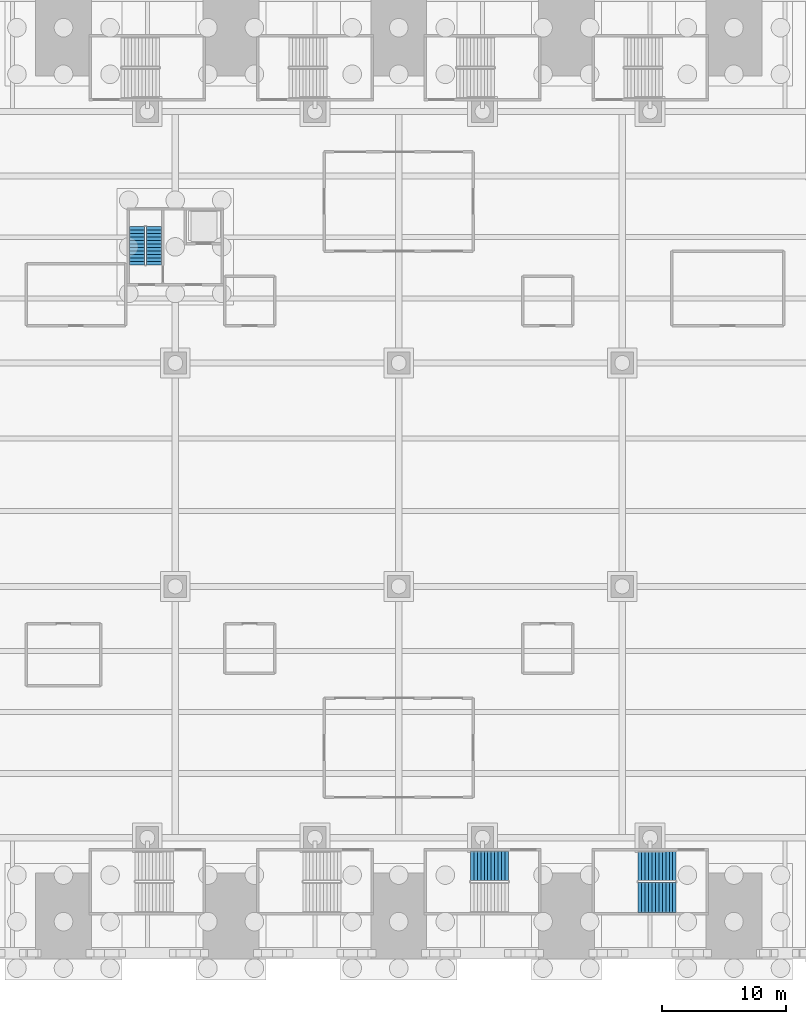
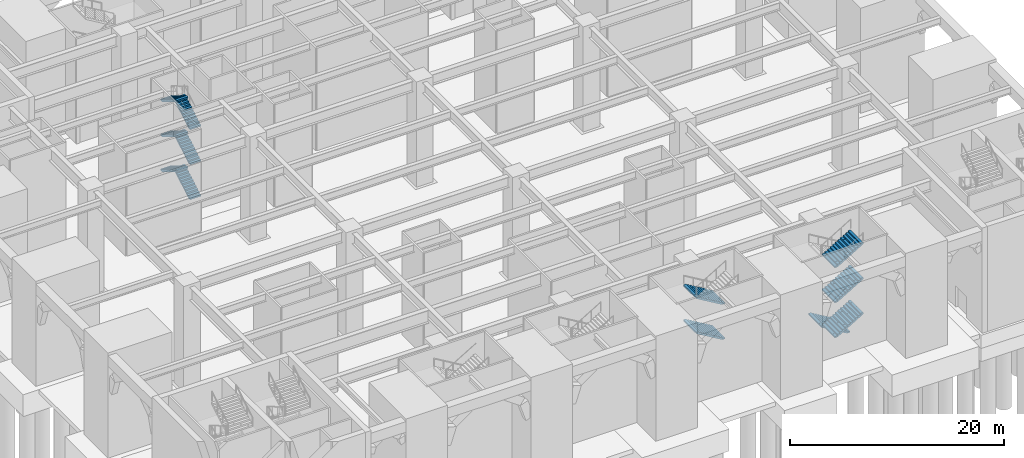
# One storey, part 16 of 34: 12 stair flights, 3 elements without a shape of their own.
"""IFC4 building model written with IfcOpenShell, lengths in metres."""

from ifc_helpers import new_model, si_unit, direction, frame, origin, place, context, subcontext, project, spatial, polyline, outline, extrude, material, type_object, element, aggregate, save


model = new_model("IFC4")

# Units and contexts
model_context = context("Model", 3, precision=1e-05, world=origin(), true_north=direction((0.0, 1.0)))
body_context = subcontext(model_context, "Body", "Model", "MODEL_VIEW")
ifc_project = project(units=[si_unit("LENGTHUNIT", "METRE"), si_unit("AREAUNIT", "SQUARE_METRE"), si_unit("VOLUMEUNIT", "CUBIC_METRE"), si_unit("PLANEANGLEUNIT", "RADIAN"), si_unit("MASSUNIT", "GRAM", prefix="KILO")], contexts=[model_context])

# Site, building, storey
site_placement = place(None, origin())
site = spatial("IfcSite", under=ifc_project, at=site_placement, CompositionType="ELEMENT")
building_placement = place(site_placement, origin())
building = spatial("IfcBuilding", under=site, at=building_placement, Name="Corbelhall Arena Tower", CompositionType="ELEMENT")
storey_placement = place(building_placement, origin())
storey = spatial("IfcBuildingStorey", under=building, at=storey_placement, Name="L00", CompositionType="ELEMENT", Elevation=0.0)

# Stair, stair flights
ifc_material_1 = material(Name="Reinforced concrete C40/50", Category="concrete")
stair_type_1 = type_object("IfcStairType", Name="AR-EXIT-STAIR", PredefinedType="HALF_TURN_STAIR", material=ifc_material_1)
stair_1_placement = place(storey_placement, origin())
stair_1 = element("IfcStair", 1, at=stair_1_placement, inside=storey, type_object=stair_type_1, Name="L00 exit stair AS15", PredefinedType="HALF_TURN_STAIR")
stair_flight_type_1 = type_object("IfcStairFlightType", Name="AR-EXIT-FLIGHT", PredefinedType="STRAIGHT", material=ifc_material_1)
stair_flight_1_placement = place(storey_placement, frame((8.85009765625, -31.5, 4.0), z_axis=(0.0, 0.0, 1.0), x_axis=(-1.0, 0.0, 0.0)))
stair_flight_1 = element("IfcStairFlight", 2, at=stair_flight_1_placement, type_object=stair_flight_type_1, Name="AS15 flight 3", NumberOfRisers=12, NumberOfTreads=11, PredefinedType="STRAIGHT", RiserHeight=0.166666667, TreadLength=0.28, context=body_context, shape_type="SweptSolid", body=[
    extrude(outline(polyline([(0.0, 0.0), (0.0, 0.166748046875), (0.280029296875, 0.166748046875), (0.280029296875, 0.333251953125), (0.56005859375, 0.333251953125), (0.56005859375, 0.5), (0.840087890625, 0.5), (0.840087890625, 0.666748046875), (1.1201171875, 0.666748046875), (1.1201171875, 0.833251953125), (1.39990234375, 0.833251953125), (1.39990234375, 1.0), (1.679931640625, 1.0), (1.679931640625, 1.166748046875), (1.9599609375, 1.166748046875), (1.9599609375, 1.333251953125), (2.239990234375, 1.333251953125), (2.239990234375, 1.5), (2.52001953125, 1.5), (2.52001953125, 1.666748046875), (2.800048828125, 1.666748046875), (2.800048828125, 1.833251953125), (3.080078125, 1.833251953125), (3.080078125, 2.0), (3.080078125, 1.658935546875), (0.29296875, 0.0), (0.0, 0.0)])), frame((0.0, 1.199951171875, 0.0), z_axis=(0.0, -1.0, 0.0), x_axis=(1.0, 0.0, 0.0)), (0.0, 0.0, 1.0), 0.449951171875),
    extrude(outline(polyline([(0.0, 0.0), (0.0, 0.166748046875), (0.280029296875, 0.166748046875), (0.280029296875, 0.333251953125), (0.56005859375, 0.333251953125), (0.56005859375, 0.5), (0.840087890625, 0.5), (0.840087890625, 0.666748046875), (1.1201171875, 0.666748046875), (1.1201171875, 0.833251953125), (1.39990234375, 0.833251953125), (1.39990234375, 1.0), (1.679931640625, 1.0), (1.679931640625, 1.166748046875), (1.9599609375, 1.166748046875), (1.9599609375, 1.333251953125), (2.239990234375, 1.333251953125), (2.239990234375, 1.5), (2.52001953125, 1.5), (2.52001953125, 1.666748046875), (2.800048828125, 1.666748046875), (2.800048828125, 1.833251953125), (3.080078125, 1.833251953125), (3.080078125, 2.0), (3.080078125, 1.658935546875), (0.29296875, 0.0), (0.0, 0.0)])), frame((0.0, 0.745849609375, 0.0), z_axis=(0.0, -1.0, 0.0), x_axis=(1.0, 0.0, 0.0)), (0.0, 0.0, 1.0), 0.743896484375),
    extrude(outline(polyline([(0.0, 0.0), (0.0, 0.166748046875), (0.280029296875, 0.166748046875), (0.280029296875, 0.333251953125), (0.56005859375, 0.333251953125), (0.56005859375, 0.5), (0.840087890625, 0.5), (0.840087890625, 0.666748046875), (1.1201171875, 0.666748046875), (1.1201171875, 0.833251953125), (1.39990234375, 0.833251953125), (1.39990234375, 1.0), (1.679931640625, 1.0), (1.679931640625, 1.166748046875), (1.9599609375, 1.166748046875), (1.9599609375, 1.333251953125), (2.239990234375, 1.333251953125), (2.239990234375, 1.5), (2.52001953125, 1.5), (2.52001953125, 1.666748046875), (2.800048828125, 1.666748046875), (2.800048828125, 1.833251953125), (3.080078125, 1.833251953125), (3.080078125, 2.0), (3.080078125, 1.658935546875), (0.29296875, 0.0), (0.0, 0.0)])), frame((0.0, -0.001953125, 0.0), z_axis=(0.0, -1.0, 0.0), x_axis=(1.0, 0.0, 0.0)), (0.0, 0.0, 1.0), 0.743896484375),
    extrude(outline(polyline([(0.0, 0.0), (0.0, 0.166748046875), (0.280029296875, 0.166748046875), (0.280029296875, 0.333251953125), (0.56005859375, 0.333251953125), (0.56005859375, 0.5), (0.840087890625, 0.5), (0.840087890625, 0.666748046875), (1.1201171875, 0.666748046875), (1.1201171875, 0.833251953125), (1.39990234375, 0.833251953125), (1.39990234375, 1.0), (1.679931640625, 1.0), (1.679931640625, 1.166748046875), (1.9599609375, 1.166748046875), (1.9599609375, 1.333251953125), (2.239990234375, 1.333251953125), (2.239990234375, 1.5), (2.52001953125, 1.5), (2.52001953125, 1.666748046875), (2.800048828125, 1.666748046875), (2.800048828125, 1.833251953125), (3.080078125, 1.833251953125), (3.080078125, 2.0), (3.080078125, 1.658935546875), (0.29296875, 0.0), (0.0, 0.0)])), frame((0.0, -0.75, 0.0), z_axis=(0.0, -1.0, 0.0), x_axis=(1.0, 0.0, 0.0)), (0.0, 0.0, 1.0), 0.449951171875),
])
stair_flight_2_placement = place(storey_placement, frame((8.85009765625, -31.5, 8.0), z_axis=(0.0, 0.0, 1.0), x_axis=(-1.0, 0.0, 0.0)))
stair_flight_2 = element("IfcStairFlight", 3, at=stair_flight_2_placement, type_object=stair_flight_type_1, Name="AS15 flight 5", NumberOfRisers=12, NumberOfTreads=11, PredefinedType="STRAIGHT", RiserHeight=0.166666667, TreadLength=0.28, context=body_context, shape_type="SweptSolid", body=[
    extrude(outline(polyline([(0.0, 0.0), (0.0, 0.166748046875), (0.280029296875, 0.166748046875), (0.280029296875, 0.333251953125), (0.56005859375, 0.333251953125), (0.56005859375, 0.5), (0.840087890625, 0.5), (0.840087890625, 0.666748046875), (1.1201171875, 0.666748046875), (1.1201171875, 0.833251953125), (1.39990234375, 0.833251953125), (1.39990234375, 1.0), (1.679931640625, 1.0), (1.679931640625, 1.166748046875), (1.9599609375, 1.166748046875), (1.9599609375, 1.333251953125), (2.239990234375, 1.333251953125), (2.239990234375, 1.5), (2.52001953125, 1.5), (2.52001953125, 1.666748046875), (2.800048828125, 1.666748046875), (2.800048828125, 1.833251953125), (3.080078125, 1.833251953125), (3.080078125, 2.0), (3.080078125, 1.658935546875), (0.29296875, 0.0), (0.0, 0.0)])), frame((0.0, 1.199951171875, 0.0), z_axis=(0.0, -1.0, 0.0), x_axis=(1.0, 0.0, 0.0)), (0.0, 0.0, 1.0), 0.449951171875),
    extrude(outline(polyline([(0.0, 0.0), (0.0, 0.166748046875), (0.280029296875, 0.166748046875), (0.280029296875, 0.333251953125), (0.56005859375, 0.333251953125), (0.56005859375, 0.5), (0.840087890625, 0.5), (0.840087890625, 0.666748046875), (1.1201171875, 0.666748046875), (1.1201171875, 0.833251953125), (1.39990234375, 0.833251953125), (1.39990234375, 1.0), (1.679931640625, 1.0), (1.679931640625, 1.166748046875), (1.9599609375, 1.166748046875), (1.9599609375, 1.333251953125), (2.239990234375, 1.333251953125), (2.239990234375, 1.5), (2.52001953125, 1.5), (2.52001953125, 1.666748046875), (2.800048828125, 1.666748046875), (2.800048828125, 1.833251953125), (3.080078125, 1.833251953125), (3.080078125, 2.0), (3.080078125, 1.658935546875), (0.29296875, 0.0), (0.0, 0.0)])), frame((0.0, 0.745849609375, 0.0), z_axis=(0.0, -1.0, 0.0), x_axis=(1.0, 0.0, 0.0)), (0.0, 0.0, 1.0), 0.743896484375),
    extrude(outline(polyline([(0.0, 0.0), (0.0, 0.166748046875), (0.280029296875, 0.166748046875), (0.280029296875, 0.333251953125), (0.56005859375, 0.333251953125), (0.56005859375, 0.5), (0.840087890625, 0.5), (0.840087890625, 0.666748046875), (1.1201171875, 0.666748046875), (1.1201171875, 0.833251953125), (1.39990234375, 0.833251953125), (1.39990234375, 1.0), (1.679931640625, 1.0), (1.679931640625, 1.166748046875), (1.9599609375, 1.166748046875), (1.9599609375, 1.333251953125), (2.239990234375, 1.333251953125), (2.239990234375, 1.5), (2.52001953125, 1.5), (2.52001953125, 1.666748046875), (2.800048828125, 1.666748046875), (2.800048828125, 1.833251953125), (3.080078125, 1.833251953125), (3.080078125, 2.0), (3.080078125, 1.658935546875), (0.29296875, 0.0), (0.0, 0.0)])), frame((0.0, -0.001953125, 0.0), z_axis=(0.0, -1.0, 0.0), x_axis=(1.0, 0.0, 0.0)), (0.0, 0.0, 1.0), 0.743896484375),
    extrude(outline(polyline([(0.0, 0.0), (0.0, 0.166748046875), (0.280029296875, 0.166748046875), (0.280029296875, 0.333251953125), (0.56005859375, 0.333251953125), (0.56005859375, 0.5), (0.840087890625, 0.5), (0.840087890625, 0.666748046875), (1.1201171875, 0.666748046875), (1.1201171875, 0.833251953125), (1.39990234375, 0.833251953125), (1.39990234375, 1.0), (1.679931640625, 1.0), (1.679931640625, 1.166748046875), (1.9599609375, 1.166748046875), (1.9599609375, 1.333251953125), (2.239990234375, 1.333251953125), (2.239990234375, 1.5), (2.52001953125, 1.5), (2.52001953125, 1.666748046875), (2.800048828125, 1.666748046875), (2.800048828125, 1.833251953125), (3.080078125, 1.833251953125), (3.080078125, 2.0), (3.080078125, 1.658935546875), (0.29296875, 0.0), (0.0, 0.0)])), frame((0.0, -0.75, 0.0), z_axis=(0.0, -1.0, 0.0), x_axis=(1.0, 0.0, 0.0)), (0.0, 0.0, 1.0), 0.449951171875),
])
aggregate(stair_1, [stair_flight_1, stair_flight_2])

stair_2_placement = place(storey_placement, origin())
stair_2 = element("IfcStair", 4, at=stair_2_placement, inside=storey, type_object=stair_type_1, Name="L00 exit stair AS16", PredefinedType="HALF_TURN_STAIR")
stair_flight_3_placement = place(storey_placement, frame((22.35009765625, -31.5, 0.0), z_axis=(0.0, 0.0, 1.0), x_axis=(-1.0, 0.0, 0.0)))
stair_flight_3 = element("IfcStairFlight", 5, at=stair_flight_3_placement, type_object=stair_flight_type_1, Name="AS16 flight 1", NumberOfRisers=12, NumberOfTreads=11, PredefinedType="STRAIGHT", RiserHeight=0.166666667, TreadLength=0.28, context=body_context, shape_type="SweptSolid", body=[
    extrude(outline(polyline([(0.0, 0.0), (0.0, 0.166748046875), (0.280029296875, 0.166748046875), (0.280029296875, 0.333251953125), (0.56005859375, 0.333251953125), (0.56005859375, 0.5), (0.840087890625, 0.5), (0.840087890625, 0.666748046875), (1.1201171875, 0.666748046875), (1.1201171875, 0.833251953125), (1.39990234375, 0.833251953125), (1.39990234375, 1.0), (1.679931640625, 1.0), (1.679931640625, 1.166748046875), (1.9599609375, 1.166748046875), (1.9599609375, 1.333251953125), (2.239990234375, 1.333251953125), (2.239990234375, 1.5), (2.52001953125, 1.5), (2.52001953125, 1.666748046875), (2.800048828125, 1.666748046875), (2.800048828125, 1.833251953125), (3.080078125, 1.833251953125), (3.080078125, 2.0), (3.080078125, 1.658935546875), (0.29296875, 0.0), (0.0, 0.0)])), frame((0.0, 1.199951171875, 0.0), z_axis=(0.0, -1.0, 0.0), x_axis=(1.0, 0.0, 0.0)), (0.0, 0.0, 1.0), 0.449951171875),
    extrude(outline(polyline([(0.0, 0.0), (0.0, 0.166748046875), (0.280029296875, 0.166748046875), (0.280029296875, 0.333251953125), (0.56005859375, 0.333251953125), (0.56005859375, 0.5), (0.840087890625, 0.5), (0.840087890625, 0.666748046875), (1.1201171875, 0.666748046875), (1.1201171875, 0.833251953125), (1.39990234375, 0.833251953125), (1.39990234375, 1.0), (1.679931640625, 1.0), (1.679931640625, 1.166748046875), (1.9599609375, 1.166748046875), (1.9599609375, 1.333251953125), (2.239990234375, 1.333251953125), (2.239990234375, 1.5), (2.52001953125, 1.5), (2.52001953125, 1.666748046875), (2.800048828125, 1.666748046875), (2.800048828125, 1.833251953125), (3.080078125, 1.833251953125), (3.080078125, 2.0), (3.080078125, 1.658935546875), (0.29296875, 0.0), (0.0, 0.0)])), frame((0.0, 0.745849609375, 0.0), z_axis=(0.0, -1.0, 0.0), x_axis=(1.0, 0.0, 0.0)), (0.0, 0.0, 1.0), 0.743896484375),
    extrude(outline(polyline([(0.0, 0.0), (0.0, 0.166748046875), (0.280029296875, 0.166748046875), (0.280029296875, 0.333251953125), (0.56005859375, 0.333251953125), (0.56005859375, 0.5), (0.840087890625, 0.5), (0.840087890625, 0.666748046875), (1.1201171875, 0.666748046875), (1.1201171875, 0.833251953125), (1.39990234375, 0.833251953125), (1.39990234375, 1.0), (1.679931640625, 1.0), (1.679931640625, 1.166748046875), (1.9599609375, 1.166748046875), (1.9599609375, 1.333251953125), (2.239990234375, 1.333251953125), (2.239990234375, 1.5), (2.52001953125, 1.5), (2.52001953125, 1.666748046875), (2.800048828125, 1.666748046875), (2.800048828125, 1.833251953125), (3.080078125, 1.833251953125), (3.080078125, 2.0), (3.080078125, 1.658935546875), (0.29296875, 0.0), (0.0, 0.0)])), frame((0.0, -0.001953125, 0.0), z_axis=(0.0, -1.0, 0.0), x_axis=(1.0, 0.0, 0.0)), (0.0, 0.0, 1.0), 0.743896484375),
    extrude(outline(polyline([(0.0, 0.0), (0.0, 0.166748046875), (0.280029296875, 0.166748046875), (0.280029296875, 0.333251953125), (0.56005859375, 0.333251953125), (0.56005859375, 0.5), (0.840087890625, 0.5), (0.840087890625, 0.666748046875), (1.1201171875, 0.666748046875), (1.1201171875, 0.833251953125), (1.39990234375, 0.833251953125), (1.39990234375, 1.0), (1.679931640625, 1.0), (1.679931640625, 1.166748046875), (1.9599609375, 1.166748046875), (1.9599609375, 1.333251953125), (2.239990234375, 1.333251953125), (2.239990234375, 1.5), (2.52001953125, 1.5), (2.52001953125, 1.666748046875), (2.800048828125, 1.666748046875), (2.800048828125, 1.833251953125), (3.080078125, 1.833251953125), (3.080078125, 2.0), (3.080078125, 1.658935546875), (0.29296875, 0.0), (0.0, 0.0)])), frame((0.0, -0.75, 0.0), z_axis=(0.0, -1.0, 0.0), x_axis=(1.0, 0.0, 0.0)), (0.0, 0.0, 1.0), 0.449951171875),
])
stair_flight_4_placement = place(storey_placement, frame((19.27001953125, -34.050048828125, 2.0), z_axis=(0.0, 0.0, 1.0), x_axis=(1.0, 0.0, 0.0)))
stair_flight_4 = element("IfcStairFlight", 6, at=stair_flight_4_placement, type_object=stair_flight_type_1, Name="AS16 flight 2", NumberOfRisers=12, NumberOfTreads=11, PredefinedType="STRAIGHT", RiserHeight=0.166666667, TreadLength=0.28, context=body_context, shape_type="SweptSolid", body=[
    extrude(outline(polyline([(0.0, 0.0), (0.0, 0.166748046875), (0.280029296875, 0.166748046875), (0.280029296875, 0.333251953125), (0.56005859375, 0.333251953125), (0.56005859375, 0.5), (0.840087890625, 0.5), (0.840087890625, 0.666748046875), (1.1201171875, 0.666748046875), (1.1201171875, 0.833251953125), (1.39990234375, 0.833251953125), (1.39990234375, 1.0), (1.679931640625, 1.0), (1.679931640625, 1.166748046875), (1.9599609375, 1.166748046875), (1.9599609375, 1.333251953125), (2.239990234375, 1.333251953125), (2.239990234375, 1.5), (2.52001953125, 1.5), (2.52001953125, 1.666748046875), (2.800048828125, 1.666748046875), (2.800048828125, 1.833251953125), (3.080078125, 1.833251953125), (3.080078125, 2.0), (3.080078125, 1.658935546875), (0.29296875, 0.0), (0.0, 0.0)])), frame((0.0, 1.199951171875, 0.0), z_axis=(0.0, -1.0, 0.0), x_axis=(1.0, 0.0, 0.0)), (0.0, 0.0, 1.0), 0.449951171875),
    extrude(outline(polyline([(0.0, 0.0), (0.0, 0.166748046875), (0.280029296875, 0.166748046875), (0.280029296875, 0.333251953125), (0.56005859375, 0.333251953125), (0.56005859375, 0.5), (0.840087890625, 0.5), (0.840087890625, 0.666748046875), (1.1201171875, 0.666748046875), (1.1201171875, 0.833251953125), (1.39990234375, 0.833251953125), (1.39990234375, 1.0), (1.679931640625, 1.0), (1.679931640625, 1.166748046875), (1.9599609375, 1.166748046875), (1.9599609375, 1.333251953125), (2.239990234375, 1.333251953125), (2.239990234375, 1.5), (2.52001953125, 1.5), (2.52001953125, 1.666748046875), (2.800048828125, 1.666748046875), (2.800048828125, 1.833251953125), (3.080078125, 1.833251953125), (3.080078125, 2.0), (3.080078125, 1.658935546875), (0.29296875, 0.0), (0.0, 0.0)])), frame((0.0, 0.745849609375, 0.0), z_axis=(0.0, -1.0, 0.0), x_axis=(1.0, 0.0, 0.0)), (0.0, 0.0, 1.0), 0.743896484375),
    extrude(outline(polyline([(0.0, 0.0), (0.0, 0.166748046875), (0.280029296875, 0.166748046875), (0.280029296875, 0.333251953125), (0.56005859375, 0.333251953125), (0.56005859375, 0.5), (0.840087890625, 0.5), (0.840087890625, 0.666748046875), (1.1201171875, 0.666748046875), (1.1201171875, 0.833251953125), (1.39990234375, 0.833251953125), (1.39990234375, 1.0), (1.679931640625, 1.0), (1.679931640625, 1.166748046875), (1.9599609375, 1.166748046875), (1.9599609375, 1.333251953125), (2.239990234375, 1.333251953125), (2.239990234375, 1.5), (2.52001953125, 1.5), (2.52001953125, 1.666748046875), (2.800048828125, 1.666748046875), (2.800048828125, 1.833251953125), (3.080078125, 1.833251953125), (3.080078125, 2.0), (3.080078125, 1.658935546875), (0.29296875, 0.0), (0.0, 0.0)])), frame((0.0, -0.001953125, 0.0), z_axis=(0.0, -1.0, 0.0), x_axis=(1.0, 0.0, 0.0)), (0.0, 0.0, 1.0), 0.743896484375),
    extrude(outline(polyline([(0.0, 0.0), (0.0, 0.166748046875), (0.280029296875, 0.166748046875), (0.280029296875, 0.333251953125), (0.56005859375, 0.333251953125), (0.56005859375, 0.5), (0.840087890625, 0.5), (0.840087890625, 0.666748046875), (1.1201171875, 0.666748046875), (1.1201171875, 0.833251953125), (1.39990234375, 0.833251953125), (1.39990234375, 1.0), (1.679931640625, 1.0), (1.679931640625, 1.166748046875), (1.9599609375, 1.166748046875), (1.9599609375, 1.333251953125), (2.239990234375, 1.333251953125), (2.239990234375, 1.5), (2.52001953125, 1.5), (2.52001953125, 1.666748046875), (2.800048828125, 1.666748046875), (2.800048828125, 1.833251953125), (3.080078125, 1.833251953125), (3.080078125, 2.0), (3.080078125, 1.658935546875), (0.29296875, 0.0), (0.0, 0.0)])), frame((0.0, -0.75, 0.0), z_axis=(0.0, -1.0, 0.0), x_axis=(1.0, 0.0, 0.0)), (0.0, 0.0, 1.0), 0.449951171875),
])
stair_flight_5_placement = place(storey_placement, frame((19.27001953125, -34.050048828125, 6.0), z_axis=(0.0, 0.0, 1.0), x_axis=(1.0, 0.0, 0.0)))
stair_flight_5 = element("IfcStairFlight", 7, at=stair_flight_5_placement, type_object=stair_flight_type_1, Name="AS16 flight 4", NumberOfRisers=12, NumberOfTreads=11, PredefinedType="STRAIGHT", RiserHeight=0.166666667, TreadLength=0.28, context=body_context, shape_type="SweptSolid", body=[
    extrude(outline(polyline([(0.0, 0.0), (0.0, 0.166748046875), (0.280029296875, 0.166748046875), (0.280029296875, 0.333251953125), (0.56005859375, 0.333251953125), (0.56005859375, 0.5), (0.840087890625, 0.5), (0.840087890625, 0.666748046875), (1.1201171875, 0.666748046875), (1.1201171875, 0.833251953125), (1.39990234375, 0.833251953125), (1.39990234375, 1.0), (1.679931640625, 1.0), (1.679931640625, 1.166748046875), (1.9599609375, 1.166748046875), (1.9599609375, 1.333251953125), (2.239990234375, 1.333251953125), (2.239990234375, 1.5), (2.52001953125, 1.5), (2.52001953125, 1.666748046875), (2.800048828125, 1.666748046875), (2.800048828125, 1.833251953125), (3.080078125, 1.833251953125), (3.080078125, 2.0), (3.080078125, 1.658935546875), (0.29296875, 0.0), (0.0, 0.0)])), frame((0.0, 1.199951171875, 0.0), z_axis=(0.0, -1.0, 0.0), x_axis=(1.0, 0.0, 0.0)), (0.0, 0.0, 1.0), 0.449951171875),
    extrude(outline(polyline([(0.0, 0.0), (0.0, 0.166748046875), (0.280029296875, 0.166748046875), (0.280029296875, 0.333251953125), (0.56005859375, 0.333251953125), (0.56005859375, 0.5), (0.840087890625, 0.5), (0.840087890625, 0.666748046875), (1.1201171875, 0.666748046875), (1.1201171875, 0.833251953125), (1.39990234375, 0.833251953125), (1.39990234375, 1.0), (1.679931640625, 1.0), (1.679931640625, 1.166748046875), (1.9599609375, 1.166748046875), (1.9599609375, 1.333251953125), (2.239990234375, 1.333251953125), (2.239990234375, 1.5), (2.52001953125, 1.5), (2.52001953125, 1.666748046875), (2.800048828125, 1.666748046875), (2.800048828125, 1.833251953125), (3.080078125, 1.833251953125), (3.080078125, 2.0), (3.080078125, 1.658935546875), (0.29296875, 0.0), (0.0, 0.0)])), frame((0.0, 0.745849609375, 0.0), z_axis=(0.0, -1.0, 0.0), x_axis=(1.0, 0.0, 0.0)), (0.0, 0.0, 1.0), 0.743896484375),
    extrude(outline(polyline([(0.0, 0.0), (0.0, 0.166748046875), (0.280029296875, 0.166748046875), (0.280029296875, 0.333251953125), (0.56005859375, 0.333251953125), (0.56005859375, 0.5), (0.840087890625, 0.5), (0.840087890625, 0.666748046875), (1.1201171875, 0.666748046875), (1.1201171875, 0.833251953125), (1.39990234375, 0.833251953125), (1.39990234375, 1.0), (1.679931640625, 1.0), (1.679931640625, 1.166748046875), (1.9599609375, 1.166748046875), (1.9599609375, 1.333251953125), (2.239990234375, 1.333251953125), (2.239990234375, 1.5), (2.52001953125, 1.5), (2.52001953125, 1.666748046875), (2.800048828125, 1.666748046875), (2.800048828125, 1.833251953125), (3.080078125, 1.833251953125), (3.080078125, 2.0), (3.080078125, 1.658935546875), (0.29296875, 0.0), (0.0, 0.0)])), frame((0.0, -0.001953125, 0.0), z_axis=(0.0, -1.0, 0.0), x_axis=(1.0, 0.0, 0.0)), (0.0, 0.0, 1.0), 0.743896484375),
    extrude(outline(polyline([(0.0, 0.0), (0.0, 0.166748046875), (0.280029296875, 0.166748046875), (0.280029296875, 0.333251953125), (0.56005859375, 0.333251953125), (0.56005859375, 0.5), (0.840087890625, 0.5), (0.840087890625, 0.666748046875), (1.1201171875, 0.666748046875), (1.1201171875, 0.833251953125), (1.39990234375, 0.833251953125), (1.39990234375, 1.0), (1.679931640625, 1.0), (1.679931640625, 1.166748046875), (1.9599609375, 1.166748046875), (1.9599609375, 1.333251953125), (2.239990234375, 1.333251953125), (2.239990234375, 1.5), (2.52001953125, 1.5), (2.52001953125, 1.666748046875), (2.800048828125, 1.666748046875), (2.800048828125, 1.833251953125), (3.080078125, 1.833251953125), (3.080078125, 2.0), (3.080078125, 1.658935546875), (0.29296875, 0.0), (0.0, 0.0)])), frame((0.0, -0.75, 0.0), z_axis=(0.0, -1.0, 0.0), x_axis=(1.0, 0.0, 0.0)), (0.0, 0.0, 1.0), 0.449951171875),
])
stair_flight_6_placement = place(storey_placement, frame((19.27001953125, -34.050048828125, 10.0), z_axis=(0.0, 0.0, 1.0), x_axis=(1.0, 0.0, 0.0)))
stair_flight_6 = element("IfcStairFlight", 8, at=stair_flight_6_placement, type_object=stair_flight_type_1, Name="AS16 flight 6", NumberOfRisers=12, NumberOfTreads=11, PredefinedType="STRAIGHT", RiserHeight=0.166666667, TreadLength=0.28, context=body_context, shape_type="SweptSolid", body=[
    extrude(outline(polyline([(0.0, 0.0), (0.0, 0.166748046875), (0.280029296875, 0.166748046875), (0.280029296875, 0.333251953125), (0.56005859375, 0.333251953125), (0.56005859375, 0.5), (0.840087890625, 0.5), (0.840087890625, 0.666748046875), (1.1201171875, 0.666748046875), (1.1201171875, 0.833251953125), (1.39990234375, 0.833251953125), (1.39990234375, 1.0), (1.679931640625, 1.0), (1.679931640625, 1.166748046875), (1.9599609375, 1.166748046875), (1.9599609375, 1.333251953125), (2.239990234375, 1.333251953125), (2.239990234375, 1.5), (2.52001953125, 1.5), (2.52001953125, 1.666748046875), (2.800048828125, 1.666748046875), (2.800048828125, 1.833251953125), (3.080078125, 1.833251953125), (3.080078125, 2.0), (3.080078125, 1.658935546875), (0.29296875, 0.0), (0.0, 0.0)])), frame((0.0, 1.199951171875, 0.0), z_axis=(0.0, -1.0, 0.0), x_axis=(1.0, 0.0, 0.0)), (0.0, 0.0, 1.0), 0.449951171875),
    extrude(outline(polyline([(0.0, 0.0), (0.0, 0.166748046875), (0.280029296875, 0.166748046875), (0.280029296875, 0.333251953125), (0.56005859375, 0.333251953125), (0.56005859375, 0.5), (0.840087890625, 0.5), (0.840087890625, 0.666748046875), (1.1201171875, 0.666748046875), (1.1201171875, 0.833251953125), (1.39990234375, 0.833251953125), (1.39990234375, 1.0), (1.679931640625, 1.0), (1.679931640625, 1.166748046875), (1.9599609375, 1.166748046875), (1.9599609375, 1.333251953125), (2.239990234375, 1.333251953125), (2.239990234375, 1.5), (2.52001953125, 1.5), (2.52001953125, 1.666748046875), (2.800048828125, 1.666748046875), (2.800048828125, 1.833251953125), (3.080078125, 1.833251953125), (3.080078125, 2.0), (3.080078125, 1.658935546875), (0.29296875, 0.0), (0.0, 0.0)])), frame((0.0, 0.745849609375, 0.0), z_axis=(0.0, -1.0, 0.0), x_axis=(1.0, 0.0, 0.0)), (0.0, 0.0, 1.0), 0.743896484375),
    extrude(outline(polyline([(0.0, 0.0), (0.0, 0.166748046875), (0.280029296875, 0.166748046875), (0.280029296875, 0.333251953125), (0.56005859375, 0.333251953125), (0.56005859375, 0.5), (0.840087890625, 0.5), (0.840087890625, 0.666748046875), (1.1201171875, 0.666748046875), (1.1201171875, 0.833251953125), (1.39990234375, 0.833251953125), (1.39990234375, 1.0), (1.679931640625, 1.0), (1.679931640625, 1.166748046875), (1.9599609375, 1.166748046875), (1.9599609375, 1.333251953125), (2.239990234375, 1.333251953125), (2.239990234375, 1.5), (2.52001953125, 1.5), (2.52001953125, 1.666748046875), (2.800048828125, 1.666748046875), (2.800048828125, 1.833251953125), (3.080078125, 1.833251953125), (3.080078125, 2.0), (3.080078125, 1.658935546875), (0.29296875, 0.0), (0.0, 0.0)])), frame((0.0, -0.001953125, 0.0), z_axis=(0.0, -1.0, 0.0), x_axis=(1.0, 0.0, 0.0)), (0.0, 0.0, 1.0), 0.743896484375),
    extrude(outline(polyline([(0.0, 0.0), (0.0, 0.166748046875), (0.280029296875, 0.166748046875), (0.280029296875, 0.333251953125), (0.56005859375, 0.333251953125), (0.56005859375, 0.5), (0.840087890625, 0.5), (0.840087890625, 0.666748046875), (1.1201171875, 0.666748046875), (1.1201171875, 0.833251953125), (1.39990234375, 0.833251953125), (1.39990234375, 1.0), (1.679931640625, 1.0), (1.679931640625, 1.166748046875), (1.9599609375, 1.166748046875), (1.9599609375, 1.333251953125), (2.239990234375, 1.333251953125), (2.239990234375, 1.5), (2.52001953125, 1.5), (2.52001953125, 1.666748046875), (2.800048828125, 1.666748046875), (2.800048828125, 1.833251953125), (3.080078125, 1.833251953125), (3.080078125, 2.0), (3.080078125, 1.658935546875), (0.29296875, 0.0), (0.0, 0.0)])), frame((0.0, -0.75, 0.0), z_axis=(0.0, -1.0, 0.0), x_axis=(1.0, 0.0, 0.0)), (0.0, 0.0, 1.0), 0.449951171875),
])
aggregate(stair_2, [stair_flight_3, stair_flight_4, stair_flight_5, stair_flight_6])

ifc_material_2 = material(Name="Concrete C40/50", Category="concrete")
stair_type_2 = type_object("IfcStairType", Name="IN-ST-TOWER", PredefinedType="HALF_TURN_STAIR", material=ifc_material_2)
stair_3_placement = place(storey_placement, origin())
stair_3 = element("IfcStair", 9, at=stair_3_placement, inside=storey, type_object=stair_type_2, Name="L00 Exit stair AS17", PredefinedType="HALF_TURN_STAIR")
stair_flight_type_2 = type_object("IfcStairFlightType", Name="IN-SFL-RC", PredefinedType="STRAIGHT", material=ifc_material_2)
stair_flight_7_placement = place(storey_placement, frame((-19.695068359375, 16.89990234375, 0.0), z_axis=(0.0, 0.0, 1.0), x_axis=(0.0, 1.0, 0.0)))
stair_flight_7 = element("IfcStairFlight", 10, at=stair_flight_7_placement, type_object=stair_flight_type_2, Name="AS17 flight 1", NumberOfRisers=12, NumberOfTreads=11, PredefinedType="STRAIGHT", RiserHeight=0.166666667, TreadLength=0.28, context=body_context, shape_type="SweptSolid", body=[
    extrude(outline(polyline([(0.0, 0.0), (0.0, 0.166748046875), (0.280029296875, 0.166748046875), (0.280029296875, 0.333251953125), (0.56005859375, 0.333251953125), (0.56005859375, 0.5), (0.840087890625, 0.5), (0.840087890625, 0.666748046875), (1.1201171875, 0.666748046875), (1.1201171875, 0.833251953125), (1.39990234375, 0.833251953125), (1.39990234375, 1.0), (1.679931640625, 1.0), (1.679931640625, 1.166748046875), (1.9599609375, 1.166748046875), (1.9599609375, 1.333251953125), (2.239990234375, 1.333251953125), (2.239990234375, 1.5), (2.52001953125, 1.5), (2.52001953125, 1.666748046875), (2.800048828125, 1.666748046875), (2.800048828125, 1.833251953125), (3.080078125, 1.833251953125), (3.080078125, 2.0), (3.080078125, 1.658935546875), (0.29296875, 0.0), (0.0, 0.0)])), frame((0.0, 0.60009765625, 0.0), z_axis=(0.0, -1.0, 0.0), x_axis=(1.0, 0.0, 0.0)), (0.0, 0.0, 1.0), 1.199951171875),
])
stair_flight_8_placement = place(storey_placement, frame((-21.094970703125, 19.97998046875, 2.0), z_axis=(0.0, 0.0, 1.0), x_axis=(0.0, -1.0, 0.0)))
stair_flight_8 = element("IfcStairFlight", 11, at=stair_flight_8_placement, type_object=stair_flight_type_2, Name="AS17 flight 2", NumberOfRisers=12, NumberOfTreads=11, PredefinedType="STRAIGHT", RiserHeight=0.166666667, TreadLength=0.28, context=body_context, shape_type="SweptSolid", body=[
    extrude(outline(polyline([(0.0, 0.0), (0.0, 0.166748046875), (0.280029296875, 0.166748046875), (0.280029296875, 0.333251953125), (0.56005859375, 0.333251953125), (0.56005859375, 0.5), (0.840087890625, 0.5), (0.840087890625, 0.666748046875), (1.1201171875, 0.666748046875), (1.1201171875, 0.833251953125), (1.39990234375, 0.833251953125), (1.39990234375, 1.0), (1.679931640625, 1.0), (1.679931640625, 1.166748046875), (1.9599609375, 1.166748046875), (1.9599609375, 1.333251953125), (2.239990234375, 1.333251953125), (2.239990234375, 1.5), (2.52001953125, 1.5), (2.52001953125, 1.666748046875), (2.800048828125, 1.666748046875), (2.800048828125, 1.833251953125), (3.080078125, 1.833251953125), (3.080078125, 2.0), (3.080078125, 1.658935546875), (0.29296875, 0.0), (0.0, 0.0)])), frame((0.0, 0.60009765625, 0.0), z_axis=(0.0, -1.0, 0.0), x_axis=(1.0, 0.0, 0.0)), (0.0, 0.0, 1.0), 1.199951171875),
])
stair_flight_9_placement = place(storey_placement, frame((-19.695068359375, 16.89990234375, 4.0), z_axis=(0.0, 0.0, 1.0), x_axis=(0.0, 1.0, 0.0)))
stair_flight_9 = element("IfcStairFlight", 12, at=stair_flight_9_placement, type_object=stair_flight_type_2, Name="AS17 flight 3", NumberOfRisers=12, NumberOfTreads=11, PredefinedType="STRAIGHT", RiserHeight=0.166666667, TreadLength=0.28, context=body_context, shape_type="SweptSolid", body=[
    extrude(outline(polyline([(0.0, 0.0), (0.0, 0.166748046875), (0.280029296875, 0.166748046875), (0.280029296875, 0.333251953125), (0.56005859375, 0.333251953125), (0.56005859375, 0.5), (0.840087890625, 0.5), (0.840087890625, 0.666748046875), (1.1201171875, 0.666748046875), (1.1201171875, 0.833251953125), (1.39990234375, 0.833251953125), (1.39990234375, 1.0), (1.679931640625, 1.0), (1.679931640625, 1.166748046875), (1.9599609375, 1.166748046875), (1.9599609375, 1.333251953125), (2.239990234375, 1.333251953125), (2.239990234375, 1.5), (2.52001953125, 1.5), (2.52001953125, 1.666748046875), (2.800048828125, 1.666748046875), (2.800048828125, 1.833251953125), (3.080078125, 1.833251953125), (3.080078125, 2.0), (3.080078125, 1.658935546875), (0.29296875, 0.0), (0.0, 0.0)])), frame((0.0, 0.60009765625, 0.0), z_axis=(0.0, -1.0, 0.0), x_axis=(1.0, 0.0, 0.0)), (0.0, 0.0, 1.0), 1.199951171875),
])
stair_flight_10_placement = place(storey_placement, frame((-21.094970703125, 19.97998046875, 6.0), z_axis=(0.0, 0.0, 1.0), x_axis=(0.0, -1.0, 0.0)))
stair_flight_10 = element("IfcStairFlight", 13, at=stair_flight_10_placement, type_object=stair_flight_type_2, Name="AS17 flight 4", NumberOfRisers=12, NumberOfTreads=11, PredefinedType="STRAIGHT", RiserHeight=0.166666667, TreadLength=0.28, context=body_context, shape_type="SweptSolid", body=[
    extrude(outline(polyline([(0.0, 0.0), (0.0, 0.166748046875), (0.280029296875, 0.166748046875), (0.280029296875, 0.333251953125), (0.56005859375, 0.333251953125), (0.56005859375, 0.5), (0.840087890625, 0.5), (0.840087890625, 0.666748046875), (1.1201171875, 0.666748046875), (1.1201171875, 0.833251953125), (1.39990234375, 0.833251953125), (1.39990234375, 1.0), (1.679931640625, 1.0), (1.679931640625, 1.166748046875), (1.9599609375, 1.166748046875), (1.9599609375, 1.333251953125), (2.239990234375, 1.333251953125), (2.239990234375, 1.5), (2.52001953125, 1.5), (2.52001953125, 1.666748046875), (2.800048828125, 1.666748046875), (2.800048828125, 1.833251953125), (3.080078125, 1.833251953125), (3.080078125, 2.0), (3.080078125, 1.658935546875), (0.29296875, 0.0), (0.0, 0.0)])), frame((0.0, 0.60009765625, 0.0), z_axis=(0.0, -1.0, 0.0), x_axis=(1.0, 0.0, 0.0)), (0.0, 0.0, 1.0), 1.199951171875),
])
stair_flight_11_placement = place(storey_placement, frame((-19.695068359375, 16.89990234375, 8.0), z_axis=(0.0, 0.0, 1.0), x_axis=(0.0, 1.0, 0.0)))
stair_flight_11 = element("IfcStairFlight", 14, at=stair_flight_11_placement, type_object=stair_flight_type_2, Name="AS17 flight 5", NumberOfRisers=12, NumberOfTreads=11, PredefinedType="STRAIGHT", RiserHeight=0.166666667, TreadLength=0.28, context=body_context, shape_type="SweptSolid", body=[
    extrude(outline(polyline([(0.0, 0.0), (0.0, 0.166748046875), (0.280029296875, 0.166748046875), (0.280029296875, 0.333251953125), (0.56005859375, 0.333251953125), (0.56005859375, 0.5), (0.840087890625, 0.5), (0.840087890625, 0.666748046875), (1.1201171875, 0.666748046875), (1.1201171875, 0.833251953125), (1.39990234375, 0.833251953125), (1.39990234375, 1.0), (1.679931640625, 1.0), (1.679931640625, 1.166748046875), (1.9599609375, 1.166748046875), (1.9599609375, 1.333251953125), (2.239990234375, 1.333251953125), (2.239990234375, 1.5), (2.52001953125, 1.5), (2.52001953125, 1.666748046875), (2.800048828125, 1.666748046875), (2.800048828125, 1.833251953125), (3.080078125, 1.833251953125), (3.080078125, 2.0), (3.080078125, 1.658935546875), (0.29296875, 0.0), (0.0, 0.0)])), frame((0.0, 0.60009765625, 0.0), z_axis=(0.0, -1.0, 0.0), x_axis=(1.0, 0.0, 0.0)), (0.0, 0.0, 1.0), 1.199951171875),
])
stair_flight_12_placement = place(storey_placement, frame((-21.094970703125, 19.97998046875, 10.0), z_axis=(0.0, 0.0, 1.0), x_axis=(0.0, -1.0, 0.0)))
stair_flight_12 = element("IfcStairFlight", 15, at=stair_flight_12_placement, type_object=stair_flight_type_2, Name="AS17 flight 6", NumberOfRisers=12, NumberOfTreads=11, PredefinedType="STRAIGHT", RiserHeight=0.166666667, TreadLength=0.28, context=body_context, shape_type="SweptSolid", body=[
    extrude(outline(polyline([(0.0, 0.0), (0.0, 0.166748046875), (0.280029296875, 0.166748046875), (0.280029296875, 0.333251953125), (0.56005859375, 0.333251953125), (0.56005859375, 0.5), (0.840087890625, 0.5), (0.840087890625, 0.666748046875), (1.1201171875, 0.666748046875), (1.1201171875, 0.833251953125), (1.39990234375, 0.833251953125), (1.39990234375, 1.0), (1.679931640625, 1.0), (1.679931640625, 1.166748046875), (1.9599609375, 1.166748046875), (1.9599609375, 1.333251953125), (2.239990234375, 1.333251953125), (2.239990234375, 1.5), (2.52001953125, 1.5), (2.52001953125, 1.666748046875), (2.800048828125, 1.666748046875), (2.800048828125, 1.833251953125), (3.080078125, 1.833251953125), (3.080078125, 2.0), (3.080078125, 1.658935546875), (0.29296875, 0.0), (0.0, 0.0)])), frame((0.0, 0.60009765625, 0.0), z_axis=(0.0, -1.0, 0.0), x_axis=(1.0, 0.0, 0.0)), (0.0, 0.0, 1.0), 1.199951171875),
])
aggregate(stair_3, [stair_flight_7, stair_flight_8, stair_flight_9, stair_flight_10, stair_flight_11, stair_flight_12])

save(model, "model.ifc")
